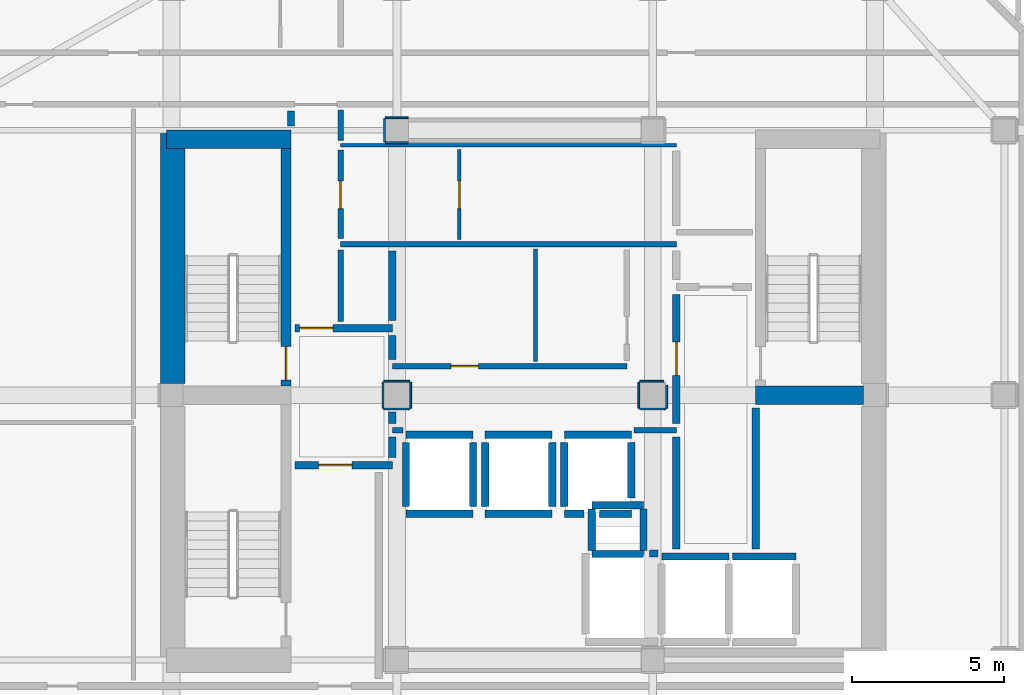
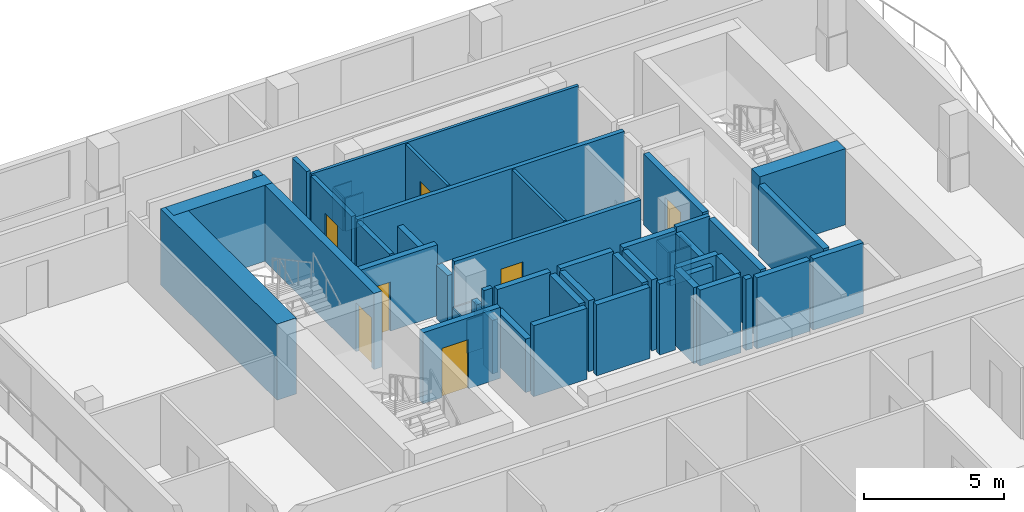
# One storey, part 4 of 10: 55 walls, 7 doors, 7 openings.
"""IFC4 building model written with IfcOpenShell, lengths in metres."""

from ifc_helpers import new_model, si_unit, direction, frame, frame_2d, origin, place, context, subcontext, project, spatial, rectangle, extrude, material, layer, layer_set, type_object, element, fill, save


model = new_model("IFC4")

# Units and contexts
model_context = context("Model", 3, precision=1e-05, world=origin(), true_north=direction((0.0, 1.0)))
body_context = subcontext(model_context, "Body", "Model", "MODEL_VIEW")
ifc_project = project(units=[si_unit("LENGTHUNIT", "METRE"), si_unit("AREAUNIT", "SQUARE_METRE"), si_unit("VOLUMEUNIT", "CUBIC_METRE"), si_unit("PLANEANGLEUNIT", "RADIAN"), si_unit("MASSUNIT", "GRAM", prefix="KILO")], contexts=[model_context])

# Site, building, storey
site_placement = place(None, origin())
site = spatial("IfcSite", under=ifc_project, at=site_placement, CompositionType="ELEMENT")
building_placement = place(site_placement, origin())
building = spatial("IfcBuilding", under=site, at=building_placement, Name="Solanera Arch Residences", CompositionType="ELEMENT")
storey_placement = place(building_placement, frame((0.0, 0.0, 200.1201171875)))
storey = spatial("IfcBuildingStorey", under=building, at=storey_placement, Name="L58", CompositionType="ELEMENT", Elevation=200.1201171875)

# Walls
ifc_material_1 = material(Name="Fire-Rated Gypsum Stud Partition", Category="gypsum")
ifc_layer_1 = layer(ifc_material_1, 0.06005859375)
ifc_layer_set_1 = layer_set([ifc_layer_1], Name="Fire-Rated Gypsum Stud Partition")
wall_type_1 = type_object("IfcWallType", Name="Column Acoustic Furring Wall 60", PredefinedType="PARTITIONING", material=ifc_layer_set_1)
for number, where, z_axis, x_axis, name in (
    (1, (20.425048828125, 38.992919921875, 0.0), (0.0, 0.0, 1.0), (1.0, 0.0, 0.0), "L58 Column Furring 3S"),
    (2, (20.425048828125, 39.806884765625, 0.0), (0.0, 0.0, 1.0), (1.0, 0.0, 0.0), "L58 Column Furring 3N"),
):
    element("IfcWall", number, at=place(storey_placement, frame(where, z_axis=z_axis, x_axis=x_axis)), inside=storey, type_object=wall_type_1, Name=name, PredefinedType="PARTITIONING", context=body_context, shape_type="SweptSolid", body=[
        extrude(rectangle(XDim=0.741943359375, YDim=0.06005859375, at=frame_2d((0.37109375, 0.0))), origin(), (0.0, 0.0, 1.0), 1.449951171875),
    ])
wall_1_placement = place(storey_placement, frame((20.39306640625, 39.02490234375, 0.0), z_axis=(0.0, 0.0, 1.0), x_axis=(0.0, 1.0, 0.0)))
element("IfcWall", 3, at=wall_1_placement, inside=storey, type_object=wall_type_1, Name="L58 Column Furring 3W", PredefinedType="PARTITIONING", context=body_context, shape_type="SweptSolid", body=[
    extrude(rectangle(XDim=0.75, YDim=0.06005859375, at=frame_2d((0.375, 0.0))), origin(), (0.0, 0.0, 1.0), 1.449951171875),
])
for number, where, z_axis, x_axis, name in (
    (4, (20.375, 30.242919921875, 0.0), (0.0, 0.0, 1.0), (1.0, 0.0, 0.0), "L58 Column Furring 7S"),
    (5, (20.375, 31.156982421875, 0.0), (0.0, 0.0, 1.0), (1.0, 0.0, 0.0), "L58 Column Furring 7N"),
    (6, (20.343017578125, 30.27490234375, 0.0), (0.0, 0.0, 1.0), (0.0, 1.0, 0.0), "L58 Column Furring 7W"),
    (7, (21.257080078125, 30.27490234375, 0.0), (0.0, 0.0, 1.0), (0.0, 1.0, 0.0), "L58 Column Furring 7E"),
    (8, (28.77490234375, 30.242919921875, 0.0), (0.0, 0.0, 1.0), (1.0, 0.0, 0.0), "L58 Column Furring 8S"),
):
    element("IfcWall", number, at=place(storey_placement, frame(where, z_axis=z_axis, x_axis=x_axis)), inside=storey, type_object=wall_type_1, Name=name, PredefinedType="PARTITIONING", context=body_context, shape_type="SweptSolid", body=[
        extrude(rectangle(XDim=0.85009765625, YDim=0.06005859375, at=frame_2d((0.425048828125, 0.0))), origin(), (0.0, 0.0, 1.0), 1.449951171875),
    ])
wall_2_placement = place(storey_placement, frame((28.77490234375, 31.156982421875, 0.0), z_axis=(0.0, 0.0, 1.0), x_axis=(1.0, 0.0, 0.0)))
element("IfcWall", 9, at=wall_2_placement, inside=storey, type_object=wall_type_1, Name="L58 Column Furring 8N", PredefinedType="PARTITIONING", context=body_context, shape_type="SweptSolid", body=[
    extrude(rectangle(XDim=0.794189453125, YDim=0.06005859375, at=frame_2d((0.39697265625, 0.0))), origin(), (0.0, 0.0, 1.0), 1.449951171875),
])
wall_3_placement = place(storey_placement, frame((28.742919921875, 30.27490234375, 0.0), z_axis=(0.0, 0.0, 1.0), x_axis=(0.0, 1.0, 0.0)))
element("IfcWall", 10, at=wall_3_placement, inside=storey, type_object=wall_type_1, Name="L58 Column Furring 8W", PredefinedType="PARTITIONING", context=body_context, shape_type="SweptSolid", body=[
    extrude(rectangle(XDim=0.85009765625, YDim=0.06005859375, at=frame_2d((0.425048828125, 0.0))), origin(), (0.0, 0.0, 1.0), 1.449951171875),
])
wall_4_placement = place(storey_placement, frame((29.656982421875, 30.27490234375, 0.0), z_axis=(0.0, 0.0, 1.0), x_axis=(0.0, 1.0, 0.0)))
element("IfcWall", 11, at=wall_4_placement, inside=storey, type_object=wall_type_1, Name="L58 Column Furring 8E", PredefinedType="PARTITIONING", context=body_context, shape_type="SweptSolid", body=[
    extrude(rectangle(XDim=0.757080078125, YDim=0.06005859375, at=frame_2d((0.37841796875, 0.0))), origin(), (0.0, 0.0, 1.0), 1.449951171875),
])

# Wall, opening, door
ifc_material_2 = material(Name="Concrete C40/50 (f'c = 45 MPa)", Category="concrete")
ifc_layer_2 = layer(ifc_material_2, 0.320068359375)
ifc_layer_set_2 = layer_set([ifc_layer_2], Name="Concrete C40/50 (f'c = 45 MPa)")
wall_type_2 = type_object("IfcWallType", Name="Core Shear Wall CW-320", PredefinedType="SHEAR", material=ifc_layer_set_2)
wall_5_placement = place(storey_placement, frame((17.159912109375, 31.0, 0.0), z_axis=(0.0, 0.0, 1.0), x_axis=(0.0, 1.0, 0.0)))
wall_5 = element("IfcWall", 12, at=wall_5_placement, inside=storey, type_object=wall_type_2, Name="L58 Stair ST-T1 East Shear Wall", PredefinedType="SHEAR", context=body_context, shape_type="SweptSolid", body=[
    extrude(rectangle(XDim=7.800048828125, YDim=0.320068359375, at=frame_2d((3.89990234375, 0.0))), origin(), (0.0, 0.0, 1.0), 3.31982421875),
])
opening_1_placement = place(wall_5_placement, frame((0.18994140625, 0.0, 0.0)))
opening_1 = element("IfcOpeningElement", 13, at=opening_1_placement, cuts=wall_5, Name="Opening DF-01", PredefinedType="OPENING", context=body_context, shape_type="SweptSolid", body=[
    extrude(rectangle(XDim=1.10009765625, YDim=2.14990234375, at=frame_2d((0.550048828125, 1.074951171875))), frame((0.0, 0.169921875, 0.0), z_axis=(0.0, -1.0, 0.0), x_axis=(1.0, 0.0, 0.0)), (0.0, 0.0, 1.0), 0.3401),
])
ifc_material_3 = material(Name="Fire-Rated Architectural Hardwood", Category="wood")
door_type_1 = type_object("IfcDoorType", Name="Stair Exit Fire Door DF-01", OperationType="NOTDEFINED", PredefinedType="DOOR", material=ifc_material_3)
door_1_placement = place(opening_1_placement, origin())
door_1 = element("IfcDoor", 14, at=door_1_placement, inside=storey, type_object=door_type_1, Name="DR-L58-STAIR-ST-T1", OperationType="SINGLE_SWING_LEFT", OverallHeight=2.14990234375, OverallWidth=1.10009765625, PredefinedType="DOOR", context=body_context, shape_type="SweptSolid", body=[
    extrude(rectangle(XDim=1.10009765625, YDim=2.14990234375, at=frame_2d((0.550048828125, 1.074951171875))), frame((0.0, 0.02490234375, 0.0), z_axis=(0.0, -1.0, 0.0), x_axis=(1.0, 0.0, 0.0)), (0.0, 0.0, 1.0), 0.050048828125),
])
fill(opening_1, door_1)

# Walls
ifc_material_4 = material(Name="Concrete C40/50 (f'c = 45 MPa)", Category="concrete")
ifc_layer_3 = layer(ifc_material_4, 0.60009765625)
ifc_layer_set_3 = layer_set([ifc_layer_3], Name="Concrete C40/50 (f'c = 45 MPa)")
wall_type_3 = type_object("IfcWallType", Name="Core Shear Wall CW-600", PredefinedType="SHEAR", material=ifc_layer_set_3)
wall_6_placement = place(storey_placement, frame((13.239990234375, 39.10009765625, 0.0), z_axis=(0.0, 0.0, 1.0), x_axis=(1.0, 0.0, 0.0)))
element("IfcWall", 15, at=wall_6_placement, inside=storey, type_object=wall_type_3, Name="L58 North-West Core Shear Wall", PredefinedType="SHEAR", context=body_context, shape_type="SweptSolid", body=[
    extrude(rectangle(XDim=4.080078125, YDim=0.60009765625, at=frame_2d((2.0400390625, 0.0))), origin(), (0.0, 0.0, 1.0), 3.31982421875),
])
wall_7_placement = place(storey_placement, frame((32.580078125, 30.699951171875, 0.0), z_axis=(0.0, 0.0, 1.0), x_axis=(1.0, 0.0, 0.0)))
element("IfcWall", 16, at=wall_7_placement, inside=storey, type_object=wall_type_3, Name="L58 East Stair Far-Landing Shear Wall", PredefinedType="SHEAR", context=body_context, shape_type="SweptSolid", body=[
    extrude(rectangle(XDim=3.5400390625, YDim=0.60009765625, at=frame_2d((1.77001953125, 0.0))), origin(), (0.0, 0.0, 1.0), 3.31982421875),
])
ifc_material_5 = material(Name="Concrete C40/50 (f'c = 45 MPa)", Category="concrete")
ifc_layer_4 = layer(ifc_material_5, 0.800048828125)
ifc_layer_set_4 = layer_set([ifc_layer_4], Name="Concrete C40/50 (f'c = 45 MPa)")
wall_type_4 = type_object("IfcWallType", Name="Core Shear Wall CW-800", PredefinedType="SHEAR", material=ifc_layer_set_4)
wall_8_placement = place(storey_placement, frame((13.43994140625, 31.080078125, 0.0), z_axis=(0.0, 0.0, 1.0), x_axis=(0.0, 1.0, 0.0)))
element("IfcWall", 17, at=wall_8_placement, inside=storey, type_object=wall_type_4, Name="L58 West Core North Shear Wall", PredefinedType="SHEAR", context=body_context, shape_type="SweptSolid", body=[
    extrude(rectangle(XDim=8.31982421875, YDim=0.800048828125, at=frame_2d((4.159912109375, 0.0))), origin(), (0.0, 0.0, 1.0), 3.31982421875),
])
ifc_material_6 = material(Name="Autoclaved Aerated Concrete Blockwork", Category="masonry")
ifc_layer_5 = layer(ifc_material_6, 0.179931640625)
ifc_layer_set_5 = layer_set([ifc_layer_5], Name="Autoclaved Aerated Concrete Blockwork")
wall_type_5 = type_object("IfcWallType", Name="Corridor Fire Partition 180", PredefinedType="PARTITIONING", material=ifc_layer_set_5)
wall_9_placement = place(storey_placement, frame((20.64990234375, 29.550048828125, 0.0), z_axis=(0.0, 0.0, 1.0), x_axis=(1.0, 0.0, 0.0)))
element("IfcWall", 18, at=wall_9_placement, inside=storey, type_object=wall_type_5, Name="L58 Interior Partition H7 1", PredefinedType="PARTITIONING", context=body_context, shape_type="SweptSolid", body=[
    extrude(rectangle(XDim=0.357177734375, YDim=0.179931640625, at=frame_2d((0.1787109375, 0.0))), origin(), (0.0, 0.0, 1.0), 3.099853515625),
])
wall_10_placement = place(storey_placement, frame((28.593017578125, 29.550048828125, 0.0), z_axis=(0.0, 0.0, 1.0), x_axis=(1.0, 0.0, 0.0)))
element("IfcWall", 19, at=wall_10_placement, inside=storey, type_object=wall_type_5, Name="L58 Interior Partition H7 2", PredefinedType="PARTITIONING", context=body_context, shape_type="SweptSolid", body=[
    extrude(rectangle(XDim=1.382080078125, YDim=0.179931640625, at=frame_2d((0.69091796875, 0.0))), origin(), (0.0, 0.0, 1.0), 3.099853515625),
])

# Wall, opening, door
wall_11_placement = place(storey_placement, frame((20.64990234375, 31.64990234375, 0.0), z_axis=(0.0, 0.0, 1.0), x_axis=(1.0, 0.0, 0.0)))
wall_11 = element("IfcWall", 20, at=wall_11_placement, inside=storey, type_object=wall_type_5, Name="L58 Interior Partition H8", PredefinedType="PARTITIONING", context=body_context, shape_type="SweptSolid", body=[
    extrude(rectangle(XDim=7.7001953125, YDim=0.179931640625, at=frame_2d((3.85009765625, 0.0))), origin(), (0.0, 0.0, 1.0), 3.099853515625),
])
opening_2_placement = place(wall_11_placement, frame((1.924072265625, 0.0, 0.0)))
opening_2 = element("IfcOpeningElement", 21, at=opening_2_placement, cuts=wall_11, Name="Opening DI-02", PredefinedType="OPENING", context=body_context, shape_type="SweptSolid", body=[
    extrude(rectangle(XDim=0.89990234375, YDim=2.10009765625, at=frame_2d((0.449951171875, 1.050048828125))), frame((0.0, 0.10009765625, 0.0), z_axis=(0.0, -1.0, 0.0), x_axis=(1.0, 0.0, 0.0)), (0.0, 0.0, 1.0), 0.1999),
])
ifc_material_7 = material(Name="Fire-Rated Architectural Hardwood", Category="wood")
door_type_2 = type_object("IfcDoorType", Name="Suite Room Swing Door DI-02", OperationType="NOTDEFINED", PredefinedType="DOOR", material=ifc_material_7)
door_2_placement = place(opening_2_placement, origin())
door_2 = element("IfcDoor", 22, at=door_2_placement, inside=storey, type_object=door_type_2, Name="DR-L58-IN-012", OperationType="SINGLE_SWING_RIGHT", OverallHeight=2.10009765625, OverallWidth=0.89990234375, PredefinedType="DOOR", context=body_context, shape_type="SweptSolid", body=[
    extrude(rectangle(XDim=0.89990234375, YDim=2.10009765625, at=frame_2d((0.449951171875, 1.050048828125))), frame((0.0, 0.02490234375, 0.0), z_axis=(0.0, -1.0, 0.0), x_axis=(1.0, 0.0, 0.0)), (0.0, 0.0, 1.0), 0.050048828125),
])
fill(opening_2, door_2)

# Walls
wall_12_placement = place(storey_placement, frame((18.949951171875, 35.64990234375, 0.0), z_axis=(0.0, 0.0, 1.0), x_axis=(1.0, 0.0, 0.0)))
element("IfcWall", 23, at=wall_12_placement, inside=storey, type_object=wall_type_5, Name="L58 Interior Partition H9", PredefinedType="PARTITIONING", context=body_context, shape_type="SweptSolid", body=[
    extrude(rectangle(XDim=11.025146484375, YDim=0.179931640625, at=frame_2d((5.5126953125, 0.0))), origin(), (0.0, 0.0, 1.0), 3.099853515625),
])
wall_13_placement = place(storey_placement, frame((18.949951171875, 33.117919921875, 0.0), z_axis=(0.0, 0.0, 1.0), x_axis=(0.0, 1.0, 0.0)))
element("IfcWall", 24, at=wall_13_placement, inside=storey, type_object=wall_type_5, Name="L58 Interior Partition V7 1", PredefinedType="PARTITIONING", context=body_context, shape_type="SweptSolid", body=[
    extrude(rectangle(XDim=2.343994140625, YDim=0.179931640625, at=frame_2d((1.171875, 0.0))), origin(), (0.0, 0.0, 1.0), 3.099853515625),
])

# Wall, opening, door
wall_14_placement = place(storey_placement, frame((18.949951171875, 35.837890625, 0.0), z_axis=(0.0, 0.0, 1.0), x_axis=(0.0, 1.0, 0.0)))
wall_14 = element("IfcWall", 25, at=wall_14_placement, inside=storey, type_object=wall_type_5, Name="L58 Interior Partition V7 2", PredefinedType="PARTITIONING", context=body_context, shape_type="SweptSolid", body=[
    extrude(rectangle(XDim=2.904052734375, YDim=0.179931640625, at=frame_2d((1.4521484375, 0.0))), origin(), (0.0, 0.0, 1.0), 3.099853515625),
])
opening_3_placement = place(wall_14_placement, frame((0.987060546875, 0.0, 0.0)))
opening_3 = element("IfcOpeningElement", 26, at=opening_3_placement, cuts=wall_14, Name="Opening DI-02", PredefinedType="OPENING", context=body_context, shape_type="SweptSolid", body=[
    extrude(rectangle(XDim=0.89990234375, YDim=2.10009765625, at=frame_2d((0.449951171875, 1.050048828125))), frame((0.0, 0.10009765625, 0.0), z_axis=(0.0, -1.0, 0.0), x_axis=(1.0, 0.0, 0.0)), (0.0, 0.0, 1.0), 0.1999),
])
door_3_placement = place(opening_3_placement, origin())
door_3 = element("IfcDoor", 27, at=door_3_placement, inside=storey, type_object=door_type_2, Name="DR-L58-IN-010", OperationType="SINGLE_SWING_RIGHT", OverallHeight=2.10009765625, OverallWidth=0.89990234375, PredefinedType="DOOR", context=body_context, shape_type="SweptSolid", body=[
    extrude(rectangle(XDim=0.89990234375, YDim=2.10009765625, at=frame_2d((0.449951171875, 1.050048828125))), frame((0.0, 0.02490234375, 0.0), z_axis=(0.0, -1.0, 0.0), x_axis=(1.0, 0.0, 0.0)), (0.0, 0.0, 1.0), 0.050048828125),
])
fill(opening_3, door_3)

# Walls
wall_15_placement = place(storey_placement, frame((18.949951171875, 39.05810546875, 0.0), z_axis=(0.0, 0.0, 1.0), x_axis=(0.0, 1.0, 0.0)))
element("IfcWall", 28, at=wall_15_placement, inside=storey, type_object=wall_type_5, Name="L58 Interior Partition V7 3", PredefinedType="PARTITIONING", context=body_context, shape_type="SweptSolid", body=[
    extrude(rectangle(XDim=1.00390625, YDim=0.179931640625, at=frame_2d((0.501953125, 0.0))), origin(), (0.0, 0.0, 1.0), 3.099853515625),
])
ifc_material_8 = material(Name="Concrete C40/50 (f'c = 45 MPa)", Category="concrete")
ifc_layer_6 = layer(ifc_material_8, 0.239990234375)
ifc_layer_set_6 = layer_set([ifc_layer_6], Name="Concrete C40/50 (f'c = 45 MPa)")
wall_type_6 = type_object("IfcWallType", Name="Ramp Bearing Shear Wall RW-240", PredefinedType="SHEAR", material=ifc_layer_set_6)
for number, where, z_axis, x_axis, name in (
    (29, (27.199951171875, 25.47998046875, 0.0), (0.0, 0.0, 1.0), (1.0, 0.0, 0.0), "L58 Core MEP Riser South Shaft Wall"),
    (30, (27.199951171875, 27.080078125, 0.0), (0.0, 0.0, 1.0), (1.0, 0.0, 0.0), "L58 Core MEP Riser North Shaft Wall"),
):
    element("IfcWall", number, at=place(storey_placement, frame(where, z_axis=z_axis, x_axis=x_axis)), inside=storey, type_object=wall_type_6, Name=name, PredefinedType="SHEAR", context=body_context, shape_type="SweptSolid", body=[
        extrude(rectangle(XDim=1.699951171875, YDim=0.239990234375, at=frame_2d((0.85009765625, 0.0))), origin(), (0.0, 0.0, 1.0), 3.31982421875),
    ])
for number, where, z_axis, x_axis, name in (
    (31, (27.199951171875, 25.60009765625, 0.0), (0.0, 0.0, 1.0), (0.0, 1.0, 0.0), "L58 Core MEP Riser West Shaft Wall"),
    (32, (28.89990234375, 25.60009765625, 0.0), (0.0, 0.0, 1.0), (0.0, 1.0, 0.0), "L58 Core MEP Riser East Shaft Wall"),
):
    element("IfcWall", number, at=place(storey_placement, frame(where, z_axis=z_axis, x_axis=x_axis)), inside=storey, type_object=wall_type_6, Name=name, PredefinedType="SHEAR", context=body_context, shape_type="SweptSolid", body=[
        extrude(rectangle(XDim=1.35986328125, YDim=0.239990234375, at=frame_2d((0.679931640625, 0.0))), origin(), (0.0, 0.0, 1.0), 3.31982421875),
    ])
ifc_material_9 = material(Name="Autoclaved Aerated Concrete Blockwork", Category="masonry")
ifc_layer_7 = layer(ifc_material_9, 0.239990234375)
ifc_layer_set_7 = layer_set([ifc_layer_7], Name="Autoclaved Aerated Concrete Blockwork")
wall_type_7 = type_object("IfcWallType", Name="Shaft Wall Fire-Rated 240", PredefinedType="PARTITIONING", material=ifc_layer_set_7)
for number, where, z_axis, x_axis, name in (
    (33, (21.10009765625, 26.800048828125, 0.0), (0.0, 0.0, 1.0), (1.0, 0.0, 0.0), "L58 Lift PL-H1 Hoistway Wall S"),
    (34, (21.10009765625, 29.39990234375, 0.0), (0.0, 0.0, 1.0), (1.0, 0.0, 0.0), "L58 Lift PL-H1 Hoistway Wall N"),
):
    element("IfcWall", number, at=place(storey_placement, frame(where, z_axis=z_axis, x_axis=x_axis)), inside=storey, type_object=wall_type_7, Name=name, PredefinedType="PARTITIONING", context=body_context, shape_type="SweptSolid", body=[
        extrude(rectangle(XDim=2.199951171875, YDim=0.239990234375, at=frame_2d((1.10009765625, 0.0))), origin(), (0.0, 0.0, 1.0), 3.099853515625),
    ])
wall_16_placement = place(storey_placement, frame((21.10009765625, 27.048095703125, 0.0), z_axis=(0.0, 0.0, 1.0), x_axis=(0.0, 1.0, 0.0)))
element("IfcWall", 35, at=wall_16_placement, inside=storey, type_object=wall_type_7, Name="L58 Lift PL-H1 Hoistway Wall W", PredefinedType="PARTITIONING", context=body_context, shape_type="SweptSolid", body=[
    extrude(rectangle(XDim=2.10400390625, YDim=0.239990234375, at=frame_2d((1.052001953125, 0.0))), origin(), (0.0, 0.0, 1.0), 2.3349609375),
])
wall_17_placement = place(storey_placement, frame((23.300048828125, 27.048095703125, 0.0), z_axis=(0.0, 0.0, 1.0), x_axis=(0.0, 1.0, 0.0)))
element("IfcWall", 36, at=wall_17_placement, inside=storey, type_object=wall_type_7, Name="L58 Lift PL-H1 Hoistway Wall E", PredefinedType="PARTITIONING", context=body_context, shape_type="SweptSolid", body=[
    extrude(rectangle(XDim=2.10400390625, YDim=0.239990234375, at=frame_2d((1.052001953125, 0.0))), origin(), (0.0, 0.0, 1.0), 3.099853515625),
])
for number, where, z_axis, x_axis, name in (
    (37, (23.699951171875, 26.800048828125, 0.0), (0.0, 0.0, 1.0), (1.0, 0.0, 0.0), "L58 Lift PL-H2 Hoistway Wall S"),
    (38, (23.699951171875, 29.39990234375, 0.0), (0.0, 0.0, 1.0), (1.0, 0.0, 0.0), "L58 Lift PL-H2 Hoistway Wall N"),
):
    element("IfcWall", number, at=place(storey_placement, frame(where, z_axis=z_axis, x_axis=x_axis)), inside=storey, type_object=wall_type_7, Name=name, PredefinedType="PARTITIONING", context=body_context, shape_type="SweptSolid", body=[
        extrude(rectangle(XDim=2.199951171875, YDim=0.239990234375, at=frame_2d((1.10009765625, 0.0))), origin(), (0.0, 0.0, 1.0), 3.099853515625),
    ])
for number, where, z_axis, x_axis, name in (
    (39, (23.699951171875, 27.048095703125, 0.0), (0.0, 0.0, 1.0), (0.0, 1.0, 0.0), "L58 Lift PL-H2 Hoistway Wall W"),
    (40, (25.89990234375, 27.048095703125, 0.0), (0.0, 0.0, 1.0), (0.0, 1.0, 0.0), "L58 Lift PL-H2 Hoistway Wall E"),
):
    element("IfcWall", number, at=place(storey_placement, frame(where, z_axis=z_axis, x_axis=x_axis)), inside=storey, type_object=wall_type_7, Name=name, PredefinedType="PARTITIONING", context=body_context, shape_type="SweptSolid", body=[
        extrude(rectangle(XDim=2.10400390625, YDim=0.239990234375, at=frame_2d((1.052001953125, 0.0))), origin(), (0.0, 0.0, 1.0), 3.099853515625),
    ])
wall_18_placement = place(storey_placement, frame((26.300048828125, 26.800048828125, 0.0), z_axis=(0.0, 0.0, 1.0), x_axis=(1.0, 0.0, 0.0)))
element("IfcWall", 41, at=wall_18_placement, inside=storey, type_object=wall_type_7, Name="L58 Lift PL-H3 Hoistway Wall S 1", PredefinedType="PARTITIONING", context=body_context, shape_type="SweptSolid", body=[
    extrude(rectangle(XDim=0.64990234375, YDim=0.239990234375, at=frame_2d((0.324951171875, 0.0))), origin(), (0.0, 0.0, 1.0), 3.099853515625),
])
wall_19_placement = place(storey_placement, frame((27.449951171875, 26.800048828125, 0.0), z_axis=(0.0, 0.0, 1.0), x_axis=(1.0, 0.0, 0.0)))
element("IfcWall", 42, at=wall_19_placement, inside=storey, type_object=wall_type_7, Name="L58 Lift PL-H3 Hoistway Wall S 2", PredefinedType="PARTITIONING", context=body_context, shape_type="SweptSolid", body=[
    extrude(rectangle(XDim=1.050048828125, YDim=0.239990234375, at=frame_2d((0.52490234375, 0.0))), origin(), (0.0, 0.0, 1.0), 3.099853515625),
])
wall_20_placement = place(storey_placement, frame((26.300048828125, 29.39990234375, 0.0), z_axis=(0.0, 0.0, 1.0), x_axis=(1.0, 0.0, 0.0)))
element("IfcWall", 43, at=wall_20_placement, inside=storey, type_object=wall_type_7, Name="L58 Lift PL-H3 Hoistway Wall N", PredefinedType="PARTITIONING", context=body_context, shape_type="SweptSolid", body=[
    extrude(rectangle(XDim=2.199951171875, YDim=0.239990234375, at=frame_2d((1.10009765625, 0.0))), origin(), (0.0, 0.0, 1.0), 3.099853515625),
])
wall_21_placement = place(storey_placement, frame((26.300048828125, 27.048095703125, 0.0), z_axis=(0.0, 0.0, 1.0), x_axis=(0.0, 1.0, 0.0)))
element("IfcWall", 44, at=wall_21_placement, inside=storey, type_object=wall_type_7, Name="L58 Lift PL-H3 Hoistway Wall W", PredefinedType="PARTITIONING", context=body_context, shape_type="SweptSolid", body=[
    extrude(rectangle(XDim=2.10400390625, YDim=0.239990234375, at=frame_2d((1.052001953125, 0.0))), origin(), (0.0, 0.0, 1.0), 3.099853515625),
])
wall_22_placement = place(storey_placement, frame((28.5, 27.330078125, 0.0), z_axis=(0.0, 0.0, 1.0), x_axis=(0.0, 1.0, 0.0)))
element("IfcWall", 45, at=wall_22_placement, inside=storey, type_object=wall_type_7, Name="L58 Lift PL-H3 Hoistway Wall E", PredefinedType="PARTITIONING", context=body_context, shape_type="SweptSolid", body=[
    extrude(rectangle(XDim=1.822021484375, YDim=0.239990234375, at=frame_2d((0.9111328125, 0.0))), origin(), (0.0, 0.0, 1.0), 3.099853515625),
])
wall_23_placement = place(storey_placement, frame((29.5, 25.39990234375, 0.0), z_axis=(0.0, 0.0, 1.0), x_axis=(1.0, 0.0, 0.0)))
element("IfcWall", 46, at=wall_23_placement, inside=storey, type_object=wall_type_7, Name="L58 Lift FFL-1 Hoistway Wall N", PredefinedType="PARTITIONING", context=body_context, shape_type="SweptSolid", body=[
    extrude(rectangle(XDim=2.199951171875, YDim=0.239990234375, at=frame_2d((1.10009765625, 0.0))), origin(), (0.0, 0.0, 1.0), 3.099853515625),
])
wall_24_placement = place(storey_placement, frame((31.827880859375, 25.39990234375, 0.0), z_axis=(0.0, 0.0, 1.0), x_axis=(1.0, 0.0, 0.0)))
element("IfcWall", 47, at=wall_24_placement, inside=storey, type_object=wall_type_7, Name="L58 Lift FFL-2 Hoistway Wall N", PredefinedType="PARTITIONING", context=body_context, shape_type="SweptSolid", body=[
    extrude(rectangle(XDim=2.072021484375, YDim=0.239990234375, at=frame_2d((1.0361328125, 0.0))), origin(), (0.0, 0.0, 1.0), 3.099853515625),
])
wall_25_placement = place(storey_placement, frame((29.10302734375, 25.5, 0.0), z_axis=(0.0, 0.0, 1.0), x_axis=(1.0, 0.0, 0.0)))
element("IfcWall", 48, at=wall_25_placement, inside=storey, type_object=wall_type_7, Name="L58 Lift SVL-1 Hoistway Wall N", PredefinedType="PARTITIONING", context=body_context, shape_type="SweptSolid", body=[
    extrude(rectangle(XDim=0.26904296875, YDim=0.239990234375, at=frame_2d((0.134521484375, 0.0))), origin(), (0.0, 0.0, 1.0), 3.099853515625),
])

# Wall, opening, door
wall_26_placement = place(storey_placement, frame((17.449951171875, 28.39990234375, 0.0), z_axis=(0.0, 0.0, 1.0), x_axis=(1.0, 0.0, 0.0)))
wall_26 = element("IfcWall", 49, at=wall_26_placement, inside=storey, type_object=wall_type_7, Name="L58 Interior Partition H3", PredefinedType="PARTITIONING", context=body_context, shape_type="SweptSolid", body=[
    extrude(rectangle(XDim=3.199951171875, YDim=0.239990234375, at=frame_2d((1.60009765625, 0.0))), origin(), (0.0, 0.0, 1.0), 3.099853515625),
])
opening_4_placement = place(wall_26_placement, frame((0.783935546875, 0.0, 0.0)))
opening_4 = element("IfcOpeningElement", 50, at=opening_4_placement, cuts=wall_26, Name="Opening DF-02", PredefinedType="OPENING", context=body_context, shape_type="SweptSolid", body=[
    extrude(rectangle(XDim=1.10009765625, YDim=2.14990234375, at=frame_2d((0.550048828125, 1.074951171875))), frame((0.0, 0.1298828125, 0.0), z_axis=(0.0, -1.0, 0.0), x_axis=(1.0, 0.0, 0.0)), (0.0, 0.0, 1.0), 0.26),
])
ifc_material_10 = material(Name="Fire-Rated Architectural Hardwood", Category="wood")
door_type_3 = type_object("IfcDoorType", Name="Firefighting Lobby Fire Door DF-02", OperationType="NOTDEFINED", PredefinedType="DOOR", material=ifc_material_10)
door_4_placement = place(opening_4_placement, origin())
door_4 = element("IfcDoor", 51, at=door_4_placement, inside=storey, type_object=door_type_3, Name="DR-L58-IN-004", OperationType="SINGLE_SWING_RIGHT", OverallHeight=2.14990234375, OverallWidth=1.10009765625, PredefinedType="DOOR", context=body_context, shape_type="SweptSolid", body=[
    extrude(rectangle(XDim=1.10009765625, YDim=2.14990234375, at=frame_2d((0.550048828125, 1.074951171875))), frame((0.0, 0.02490234375, 0.0), z_axis=(0.0, -1.0, 0.0), x_axis=(1.0, 0.0, 0.0)), (0.0, 0.0, 1.0), 0.050048828125),
])
fill(opening_4, door_4)

wall_27_placement = place(storey_placement, frame((17.449951171875, 32.89990234375, 0.0), z_axis=(0.0, 0.0, 1.0), x_axis=(1.0, 0.0, 0.0)))
wall_27 = element("IfcWall", 52, at=wall_27_placement, inside=storey, type_object=wall_type_7, Name="L58 Interior Partition H4", PredefinedType="PARTITIONING", context=body_context, shape_type="SweptSolid", body=[
    extrude(rectangle(XDim=3.199951171875, YDim=0.239990234375, at=frame_2d((1.60009765625, 0.0))), origin(), (0.0, 0.0, 1.0), 3.099853515625),
])
opening_5_placement = place(wall_27_placement, frame((0.158935546875, 0.0, 0.0)))
opening_5 = element("IfcOpeningElement", 53, at=opening_5_placement, cuts=wall_27, Name="Opening DF-02", PredefinedType="OPENING", context=body_context, shape_type="SweptSolid", body=[
    extrude(rectangle(XDim=1.10009765625, YDim=2.14990234375, at=frame_2d((0.550048828125, 1.074951171875))), frame((0.0, 0.1298828125, 0.0), z_axis=(0.0, -1.0, 0.0), x_axis=(1.0, 0.0, 0.0)), (0.0, 0.0, 1.0), 0.26),
])
door_5_placement = place(opening_5_placement, origin())
door_5 = element("IfcDoor", 54, at=door_5_placement, inside=storey, type_object=door_type_3, Name="DR-L58-IN-005", OperationType="SINGLE_SWING_LEFT", OverallHeight=2.14990234375, OverallWidth=1.10009765625, PredefinedType="DOOR", context=body_context, shape_type="SweptSolid", body=[
    extrude(rectangle(XDim=1.10009765625, YDim=2.14990234375, at=frame_2d((0.550048828125, 1.074951171875))), frame((0.0, 0.02490234375, 0.0), z_axis=(0.0, -1.0, 0.0), x_axis=(1.0, 0.0, 0.0)), (0.0, 0.0, 1.0), 0.050048828125),
])
fill(opening_5, door_5)

# Walls
wall_28_placement = place(storey_placement, frame((17.320068359375, 39.530029296875, 0.0), z_axis=(0.0, 0.0, 1.0), x_axis=(0.0, 1.0, 0.0)))
element("IfcWall", 55, at=wall_28_placement, inside=storey, type_object=wall_type_7, Name="L58 Interior Partition V1", PredefinedType="PARTITIONING", context=body_context, shape_type="SweptSolid", body=[
    extrude(rectangle(XDim=0.501953125, YDim=0.239990234375, at=frame_2d((0.2509765625, 0.0))), origin(), (0.0, 0.0, 1.0), 3.099853515625),
])
wall_29_placement = place(storey_placement, frame((20.64990234375, 28.64794921875, 0.0), z_axis=(0.0, 0.0, 1.0), x_axis=(0.0, 1.0, 0.0)))
element("IfcWall", 56, at=wall_29_placement, inside=storey, type_object=wall_type_7, Name="L58 Interior Partition V3 1", PredefinedType="PARTITIONING", context=body_context, shape_type="SweptSolid", body=[
    extrude(rectangle(XDim=0.68408203125, YDim=0.239990234375, at=frame_2d((0.342041015625, 0.0))), origin(), (0.0, 0.0, 1.0), 2.3349609375),
])
wall_30_placement = place(storey_placement, frame((20.64990234375, 29.76806640625, 0.0), z_axis=(0.0, 0.0, 1.0), x_axis=(0.0, 1.0, 0.0)))
element("IfcWall", 57, at=wall_30_placement, inside=storey, type_object=wall_type_7, Name="L58 Interior Partition V3 2", PredefinedType="PARTITIONING", context=body_context, shape_type="SweptSolid", body=[
    extrude(rectangle(XDim=0.375, YDim=0.239990234375, at=frame_2d((0.1875, 0.0))), origin(), (0.0, 0.0, 1.0), 2.3349609375),
])
wall_31_placement = place(storey_placement, frame((20.64990234375, 31.867919921875, 0.0), z_axis=(0.0, 0.0, 1.0), x_axis=(0.0, 1.0, 0.0)))
element("IfcWall", 58, at=wall_31_placement, inside=storey, type_object=wall_type_7, Name="L58 Interior Partition V3 3", PredefinedType="PARTITIONING", context=body_context, shape_type="SweptSolid", body=[
    extrude(rectangle(XDim=0.7841796875, YDim=0.239990234375, at=frame_2d((0.39208984375, 0.0))), origin(), (0.0, 0.0, 1.0), 2.3349609375),
])
wall_32_placement = place(storey_placement, frame((20.64990234375, 33.14794921875, 0.0), z_axis=(0.0, 0.0, 1.0), x_axis=(0.0, 1.0, 0.0)))
element("IfcWall", 59, at=wall_32_placement, inside=storey, type_object=wall_type_7, Name="L58 Interior Partition V3 4", PredefinedType="PARTITIONING", context=body_context, shape_type="SweptSolid", body=[
    extrude(rectangle(XDim=2.283935546875, YDim=0.239990234375, at=frame_2d((1.14208984375, 0.0))), origin(), (0.0, 0.0, 1.0), 2.3349609375),
])
wall_33_placement = place(storey_placement, frame((29.97509765625, 25.64794921875, 0.0), z_axis=(0.0, 0.0, 1.0), x_axis=(0.0, 1.0, 0.0)))
element("IfcWall", 60, at=wall_33_placement, inside=storey, type_object=wall_type_7, Name="L58 Interior Partition V4 1", PredefinedType="PARTITIONING", context=body_context, shape_type="SweptSolid", body=[
    extrude(rectangle(XDim=3.68408203125, YDim=0.239990234375, at=frame_2d((1.842041015625, 0.0))), origin(), (0.0, 0.0, 1.0), 3.099853515625),
])

# Wall, opening, door
wall_34_placement = place(storey_placement, frame((29.97509765625, 29.76806640625, 0.0), z_axis=(0.0, 0.0, 1.0), x_axis=(0.0, 1.0, 0.0)))
wall_34 = element("IfcWall", 61, at=wall_34_placement, inside=storey, type_object=wall_type_7, Name="L58 Interior Partition V4 2", PredefinedType="PARTITIONING", context=body_context, shape_type="SweptSolid", body=[
    extrude(rectangle(XDim=4.23388671875, YDim=0.239990234375, at=frame_2d((2.116943359375, 0.0))), origin(), (0.0, 0.0, 1.0), 3.099853515625),
])
opening_6_placement = place(wall_34_placement, frame((1.58203125, 0.0, 0.0)))
opening_6 = element("IfcOpeningElement", 62, at=opening_6_placement, cuts=wall_34, Name="Opening DF-02", PredefinedType="OPENING", context=body_context, shape_type="SweptSolid", body=[
    extrude(rectangle(XDim=1.10009765625, YDim=2.14990234375, at=frame_2d((0.550048828125, 1.074951171875))), frame((0.0, 0.1298828125, 0.0), z_axis=(0.0, -1.0, 0.0), x_axis=(1.0, 0.0, 0.0)), (0.0, 0.0, 1.0), 0.26),
])
door_6_placement = place(opening_6_placement, origin())
door_6 = element("IfcDoor", 63, at=door_6_placement, inside=storey, type_object=door_type_3, Name="DR-L58-IN-006", OperationType="SINGLE_SWING_RIGHT", OverallHeight=2.14990234375, OverallWidth=1.10009765625, PredefinedType="DOOR", context=body_context, shape_type="SweptSolid", body=[
    extrude(rectangle(XDim=1.10009765625, YDim=2.14990234375, at=frame_2d((0.550048828125, 1.074951171875))), frame((0.0, 0.02490234375, 0.0), z_axis=(0.0, -1.0, 0.0), x_axis=(1.0, 0.0, 0.0)), (0.0, 0.0, 1.0), 0.050048828125),
])
fill(opening_6, door_6)

# Walls
wall_35_placement = place(storey_placement, frame((32.580078125, 25.64794921875, 0.0), z_axis=(0.0, 0.0, 1.0), x_axis=(0.0, 1.0, 0.0)))
element("IfcWall", 64, at=wall_35_placement, inside=storey, type_object=wall_type_7, Name="L58 Interior Partition V5", PredefinedType="PARTITIONING", context=body_context, shape_type="SweptSolid", body=[
    extrude(rectangle(XDim=4.6220703125, YDim=0.239990234375, at=frame_2d((2.31103515625, 0.0))), origin(), (0.0, 0.0, 1.0), 3.099853515625),
])
ifc_material_11 = material(Name="Fire-Rated Gypsum Stud Partition", Category="gypsum")
ifc_layer_8 = layer(ifc_material_11, 0.1201171875)
ifc_layer_set_8 = layer_set([ifc_layer_8], Name="Fire-Rated Gypsum Stud Partition")
wall_type_8 = type_object("IfcWallType", Name="Unit Drywall Partition 120", PredefinedType="PARTITIONING", material=ifc_layer_set_8)
wall_36_placement = place(storey_placement, frame((18.949951171875, 38.89990234375, 0.0), z_axis=(0.0, 0.0, 1.0), x_axis=(1.0, 0.0, 0.0)))
element("IfcWall", 65, at=wall_36_placement, inside=storey, type_object=wall_type_8, Name="L58 Interior Partition H20", PredefinedType="PARTITIONING", context=body_context, shape_type="SweptSolid", body=[
    extrude(rectangle(XDim=11.025146484375, YDim=0.1201171875, at=frame_2d((5.5126953125, 0.0))), origin(), (0.0, 0.0, 1.0), 3.099853515625),
])

# Wall, opening, door
wall_37_placement = place(storey_placement, frame((22.85009765625, 35.80810546875, 0.0), z_axis=(0.0, 0.0, 1.0), x_axis=(0.0, 1.0, 0.0)))
wall_37 = element("IfcWall", 66, at=wall_37_placement, inside=storey, type_object=wall_type_8, Name="L58 Interior Partition V21", PredefinedType="PARTITIONING", context=body_context, shape_type="SweptSolid", body=[
    extrude(rectangle(XDim=2.9638671875, YDim=0.1201171875, at=frame_2d((1.48193359375, 0.0))), origin(), (0.0, 0.0, 1.0), 3.099853515625),
])
opening_7_placement = place(wall_37_placement, frame((1.01708984375, 0.0, 0.0)))
opening_7 = element("IfcOpeningElement", 67, at=opening_7_placement, cuts=wall_37, Name="Opening DI-02", PredefinedType="OPENING", context=body_context, shape_type="SweptSolid", body=[
    extrude(rectangle(XDim=0.89990234375, YDim=2.10009765625, at=frame_2d((0.449951171875, 1.050048828125))), frame((0.0, 0.070068359375, 0.0), z_axis=(0.0, -1.0, 0.0), x_axis=(1.0, 0.0, 0.0)), (0.0, 0.0, 1.0), 0.1401),
])
door_7_placement = place(opening_7_placement, origin())
door_7 = element("IfcDoor", 68, at=door_7_placement, inside=storey, type_object=door_type_2, Name="DR-L58-IN-011", OperationType="SINGLE_SWING_LEFT", OverallHeight=2.10009765625, OverallWidth=0.89990234375, PredefinedType="DOOR", context=body_context, shape_type="SweptSolid", body=[
    extrude(rectangle(XDim=0.89990234375, YDim=2.10009765625, at=frame_2d((0.449951171875, 1.050048828125))), frame((0.0, 0.02490234375, 0.0), z_axis=(0.0, -1.0, 0.0), x_axis=(1.0, 0.0, 0.0)), (0.0, 0.0, 1.0), 0.050048828125),
])
fill(opening_7, door_7)

# Wall
wall_38_placement = place(storey_placement, frame((25.35009765625, 31.80810546875, 0.0), z_axis=(0.0, 0.0, 1.0), x_axis=(0.0, 1.0, 0.0)))
element("IfcWall", 69, at=wall_38_placement, inside=storey, type_object=wall_type_8, Name="L58 Interior Partition V22", PredefinedType="PARTITIONING", context=body_context, shape_type="SweptSolid", body=[
    extrude(rectangle(XDim=3.683837890625, YDim=0.1201171875, at=frame_2d((1.841796875, 0.0))), origin(), (0.0, 0.0, 1.0), 3.099853515625),
])

save(model, "model.ifc")
